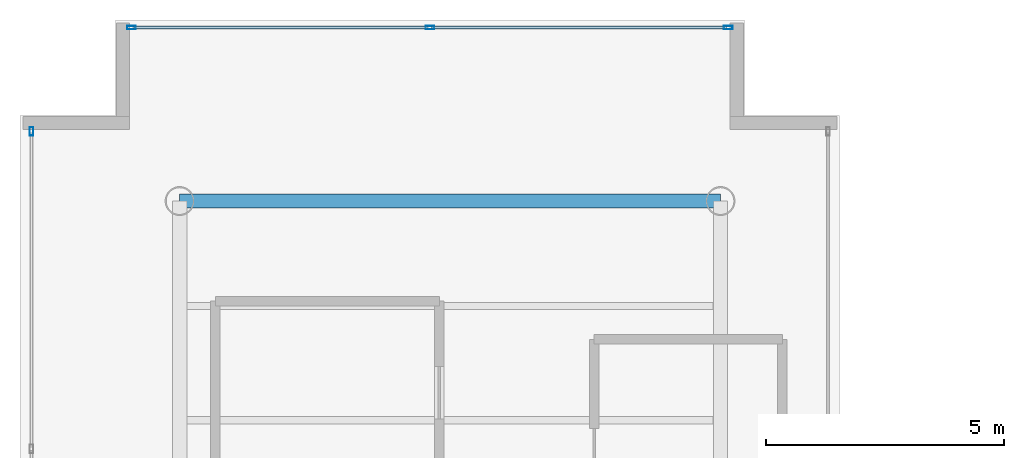
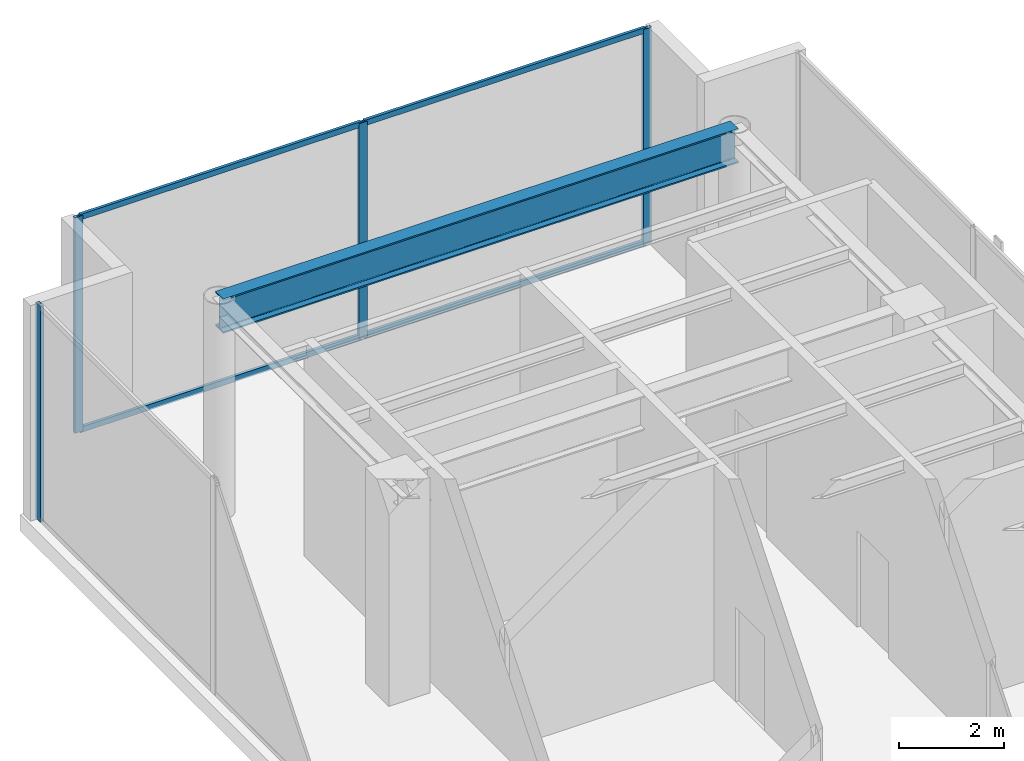
# One storey, part 22 of 29: 8 members, 1 beam, 2 elements without a shape of their own.
"""IFC4 building model written with IfcOpenShell, lengths in metres."""

import ifcopenshell
import ifcopenshell.guid

model = None  # the IFC model being written
_history = None  # IfcOwnerHistory: only IFC2X3 demands one
_inside = {}  # id of a spatial element -> (the spatial element, [elements in it])
_under = {}  # id of a project, library or spatial element -> (it, [spatial elements below it])
_declared = {}  # id of a project -> (the project, [libraries it declares])
_typed = {}  # id of a type object -> (the type object, [elements of that type])
_made_of = {}  # id of a material, layer set ... -> (it, [elements and type objects made of it])


def new_model(schema):
    """Start an empty IFC model of exactly this schema.

    Asked for "IFC4X3", IfcOpenShell would pick the latest addendum, in which some entities
    have other attributes; the version numbers below select the first issue.
    IFC2X3 requires an IfcOwnerHistory on every rooted entity: one is made here for all.
    """
    global model, _history
    if schema == "IFC4X3":
        model = ifcopenshell.file(schema_version=(4, 3, 0, 0))
    else:
        model = ifcopenshell.file(schema=schema)
    _inside.clear()
    _under.clear()
    _declared.clear()
    _typed.clear()
    _made_of.clear()
    _history = None
    if model.schema == "IFC2X3":
        org = make("IfcOrganization", Name="unknown")
        user = make(
            "IfcPersonAndOrganization",
            ThePerson=make("IfcPerson", FamilyName="unknown"),
            TheOrganization=org,
        )
        app = make(
            "IfcApplication",
            ApplicationDeveloper=org,
            Version="unknown",
            ApplicationFullName="unknown",
            ApplicationIdentifier="unknown",
        )
        _history = make(
            "IfcOwnerHistory",
            OwningUser=user,
            OwningApplication=app,
            ChangeAction="ADDED",
            CreationDate=0,
        )
    return model


def make(cls, **values):
    """One entity of the class cls with the attributes given. An attribute that is None is left unset."""
    return model.create_entity(
        cls, **{name: value for name, value in values.items() if value is not None}
    )


def rooted(cls, **values):
    """An entity with a GlobalId (a new one), such as an element, a storey or a relation."""
    return make(cls, GlobalId=ifcopenshell.guid.new(), OwnerHistory=_history, **values)


def si_unit(unit_type, name, prefix=None):
    """IfcSIUnit, for example si_unit("LENGTHUNIT", "METRE", prefix="MILLI")."""
    return make("IfcSIUnit", UnitType=unit_type, Prefix=prefix, Name=name)


def assignment(units):
    """IfcUnitAssignment: the units of a project."""
    return None if units is None else make("IfcUnitAssignment", Units=units)


def point(xyz):
    """IfcCartesianPoint."""
    return None if xyz is None else make("IfcCartesianPoint", Coordinates=xyz)


def direction(xyz):
    """IfcDirection."""
    return None if xyz is None else make("IfcDirection", DirectionRatios=xyz)


def frame(location, z_axis=None, x_axis=None):
    """IfcAxis2Placement3D, a coordinate frame: its origin and axes. An axis left out is left unset."""
    return make(
        "IfcAxis2Placement3D",
        Location=point(location),
        Axis=direction(z_axis),
        RefDirection=direction(x_axis),
    )


def frame_2d(location, x_axis=None):
    """IfcAxis2Placement2D, a coordinate frame in the plane: its origin and x axis."""
    return make(
        "IfcAxis2Placement2D", Location=point(location), RefDirection=direction(x_axis)
    )


def origin():
    """The frame at (0, 0, 0) with its axes left unset."""
    return frame((0.0, 0.0, 0.0))


def origin_with_axes():
    """The frame at (0, 0, 0) with the z axis (0, 0, 1) and the x axis (1, 0, 0) written out."""
    return frame((0.0, 0.0, 0.0), z_axis=(0.0, 0.0, 1.0), x_axis=(1.0, 0.0, 0.0))


def origin_2d():
    """The frame at (0, 0) in the plane with its x axis left unset."""
    return frame_2d((0.0, 0.0))


def place(relative_to, where):
    """IfcLocalPlacement: puts the frame where relative to a parent placement (None: the world)."""
    return make(
        "IfcLocalPlacement", PlacementRelTo=relative_to, RelativePlacement=where
    )


def context(
    kind, dimensions, precision=None, world=None, true_north=None, identifier=None
):
    """IfcGeometricRepresentationContext, for example the 3D "Model" context."""
    return make(
        "IfcGeometricRepresentationContext",
        ContextIdentifier=identifier,
        ContextType=kind,
        CoordinateSpaceDimension=dimensions,
        Precision=precision,
        WorldCoordinateSystem=world,
        TrueNorth=true_north,
    )


def subcontext(parent, identifier, kind, view, scale=None):
    """IfcGeometricRepresentationSubContext, for example "Body" below "Model"."""
    return make(
        "IfcGeometricRepresentationSubContext",
        ContextIdentifier=identifier,
        ContextType=kind,
        ParentContext=parent,
        TargetScale=scale,
        TargetView=view,
    )


def project(units=None, contexts=None):
    """IfcProject with its units and contexts."""
    return rooted(
        "IfcProject",
        Name="project",
        RepresentationContexts=contexts,
        UnitsInContext=assignment(units),
    )


def spatial(cls, under=None, at=None, **own):
    """A site, building, storey or space (cls), placed at a placement, below another one or the project."""
    s = rooted(cls, ObjectPlacement=at, **own)
    if under is not None:
        _under.setdefault(under.id(), (under, []))[1].append(s)
    return s


def profile(cls, at=None, kind="AREA", **sizes):
    """A parametric profile (cls). Its sizes go by their IFC names, for example OverallWidth=200.0."""
    return make(cls, ProfileType=kind, Position=at, **sizes)


def hollow_rectangle(**sizes):
    """IfcRectangleHollowProfileDef."""
    return profile("IfcRectangleHollowProfileDef", **sizes)


def i_section(**sizes):
    """IfcIShapeProfileDef."""
    return profile("IfcIShapeProfileDef", **sizes)


def extrude(swept, where, along, depth):
    """IfcExtrudedAreaSolid: the profile swept, set in the frame where, extruded along a direction by depth."""
    return make(
        "IfcExtrudedAreaSolid",
        SweptArea=swept,
        Position=where,
        ExtrudedDirection=direction(along),
        Depth=depth,
    )


def shape(context_of_items, identifier, shape_type, items):
    """IfcShapeRepresentation: the items that make up one representation, for example the "Body"."""
    return make(
        "IfcShapeRepresentation",
        ContextOfItems=context_of_items,
        RepresentationIdentifier=identifier,
        RepresentationType=shape_type,
        Items=items,
    )


def source(mapping_origin, context_of_items, identifier, shape_type, items):
    """IfcRepresentationMap: a shape defined once, which mapped items show again and again."""
    return make(
        "IfcRepresentationMap",
        MappingOrigin=mapping_origin,
        MappedRepresentation=shape(context_of_items, identifier, shape_type, items),
    )


def transform(
    local_origin,
    x_axis=None,
    y_axis=None,
    z_axis=None,
    scale=None,
    scale2=None,
    scale3=None,
    uniform=True,
):
    """IfcCartesianTransformationOperator3D, or its non-uniform kind. x_axis, y_axis, z_axis: its Axis1, 2, 3."""
    if uniform:
        return make(
            "IfcCartesianTransformationOperator3D",
            Axis1=direction(x_axis),
            Axis2=direction(y_axis),
            LocalOrigin=point(local_origin),
            Scale=scale,
            Axis3=direction(z_axis),
        )
    return make(
        "IfcCartesianTransformationOperator3DnonUniform",
        Axis1=direction(x_axis),
        Axis2=direction(y_axis),
        LocalOrigin=point(local_origin),
        Scale=scale,
        Axis3=direction(z_axis),
        Scale2=scale2,
        Scale3=scale3,
    )


def mapped(mapping_source, mapping_target):
    """IfcMappedItem: shows the shape of a source again, moved by a transform."""
    return make(
        "IfcMappedItem", MappingSource=mapping_source, MappingTarget=mapping_target
    )


def material(Name=None, Category=None):
    """IfcMaterial."""
    return make("IfcMaterial", Name=Name, Category=Category)


def layer(
    of_material, thickness, ventilated=None, Name=None, Category=None, Priority=None
):
    """IfcMaterialLayer: one layer of a wall or slab, of a material (None: an air gap)."""
    return make(
        "IfcMaterialLayer",
        Material=of_material,
        LayerThickness=thickness,
        IsVentilated=ventilated,
        Name=Name,
        Category=Category,
        Priority=Priority,
    )


def layer_set(layers, Name=None):
    """IfcMaterialLayerSet."""
    return make("IfcMaterialLayerSet", MaterialLayers=layers, LayerSetName=Name)


def material_profile(
    of_material, cross_section, Name=None, Category=None, Priority=None
):
    """IfcMaterialProfile: a cross section and its material."""
    return make(
        "IfcMaterialProfile",
        Name=Name,
        Material=of_material,
        Profile=cross_section,
        Priority=Priority,
        Category=Category,
    )


def profile_set(profiles, Name=None, composite=None):
    """IfcMaterialProfileSet."""
    return make(
        "IfcMaterialProfileSet",
        Name=Name,
        MaterialProfiles=profiles,
        CompositeProfile=composite,
    )


def made_of(thing, what):
    """Note that an element or type object is made of a material, layer set ...; save() writes the relation."""
    if what is not None:
        _made_of.setdefault(what.id(), (what, []))[1].append(thing)
    return thing


def type_object(cls, material=None, **own):
    """A type object (cls), such as IfcWallType, which elements share."""
    return made_of(rooted(cls, **own), material)


def element(
    cls,
    number,
    at=None,
    inside=None,
    cuts=None,
    type_object=None,
    material=None,
    context=None,
    identifier="Body",
    shape_type=None,
    held_by="IfcProductDefinitionShape",
    body=None,
    shapes=None,
    **own,
):
    """One element of the class cls, such as IfcWall. Its Tag is "e" and its number.

    at: its placement. inside: the storey or other place that contains it. cuts: it is an
    opening in that element (IfcRelVoidsElement). A single representation is given by context,
    identifier, shape_type and body (its items); several are given by shapes. held_by: the class
    of the entity that holds the representations. save() writes the other relations.
    """
    e = rooted(cls, Tag="e%d" % number, ObjectPlacement=at, **own)
    if body is not None:
        shapes = [shape(context, identifier, shape_type, body)]
    if shapes is not None:
        e.Representation = make(held_by, Representations=shapes)
    if inside is not None:
        _inside.setdefault(inside.id(), (inside, []))[1].append(e)
    if cuts is not None:
        rooted(
            "IfcRelVoidsElement", RelatingBuildingElement=cuts, RelatedOpeningElement=e
        )
    if type_object is not None:
        _typed.setdefault(type_object.id(), (type_object, []))[1].append(e)
    return made_of(e, material)


def aggregate(whole, parts):
    """IfcRelAggregates: a whole, such as a stair, and the parts it consists of."""
    return rooted("IfcRelAggregates", RelatingObject=whole, RelatedObjects=parts)


def save(model, path):
    """Write the relations noted so far, then the file.

    IfcRelAggregates (storeys below a building ...), IfcRelContainedInSpatialStructure (elements
    in a storey), IfcRelDefinesByType, IfcRelAssociatesMaterial and IfcRelDeclares: one each for
    every whole, place, type object, material and project.
    """
    for whole, parts in _under.values():
        aggregate(whole, parts)
    for where, things in _inside.values():
        rooted(
            "IfcRelContainedInSpatialStructure",
            RelatedElements=things,
            RelatingStructure=where,
        )
    for kind, things in _typed.values():
        rooted("IfcRelDefinesByType", RelatedObjects=things, RelatingType=kind)
    for what, things in _made_of.values():
        rooted("IfcRelAssociatesMaterial", RelatedObjects=things, RelatingMaterial=what)
    for by, libraries in _declared.values():
        rooted("IfcRelDeclares", RelatingContext=by, RelatedDefinitions=libraries)
    model.write(path)


model = new_model("IFC4")

# Units and contexts
model_context = context("Model", 3, precision=1e-05, world=origin(), true_north=direction((0.0, 1.0)))
body_context = subcontext(model_context, "Body", "Model", "MODEL_VIEW")
ifc_project = project(units=[si_unit("LENGTHUNIT", "METRE"), si_unit("AREAUNIT", "SQUARE_METRE"), si_unit("VOLUMEUNIT", "CUBIC_METRE"), si_unit("PLANEANGLEUNIT", "RADIAN"), si_unit("MASSUNIT", "GRAM", prefix="KILO")], contexts=[model_context])

# Site, building, storey
site_placement = place(None, origin())
site = spatial("IfcSite", under=ifc_project, at=site_placement, CompositionType="ELEMENT")
building_placement = place(site_placement, origin())
building = spatial("IfcBuilding", under=site, at=building_placement, Name="Kolvaren Waterfront Exchange", CompositionType="ELEMENT")
storey_placement = place(building_placement, frame((0.0, 0.0, 338.800048828125)))
storey = spatial("IfcBuildingStorey", under=building, at=storey_placement, Name="L87", CompositionType="ELEMENT", Elevation=338.800048828125)

# Beam
ifc_material_1 = material(Name="Steel S355", Category="steel")
ifc_material_profile_1 = material_profile(ifc_material_1, i_section(OverallWidth=0.300048828125, OverallDepth=0.800048828125, WebThickness=0.017578125, FlangeThickness=0.032958984375, FilletRadius=0.030029296875, at=origin_2d()), Name="HEB800")
ifc_profile_set_1 = profile_set([ifc_material_profile_1], Name="Steel S355")
beam_type = type_object("IfcBeamType", Name="STR-BM-HEB800", PredefinedType="BEAM", material=ifc_profile_set_1)
beam_placement = place(storey_placement, frame((7.449951171875, 44.60009765625, 4.619873046875), z_axis=(1.0, 0.0, 0.0), x_axis=(0.0, 1.0, 0.0)))
element("IfcBeam", 1, at=beam_placement, inside=storey, type_object=beam_type, Name="L87 north-arm girder 4", PredefinedType="BEAM", context=body_context, shape_type="SweptSolid", body=[
    extrude(i_section(OverallWidth=0.300048828125, OverallDepth=0.800048828125, WebThickness=0.017578125, FlangeThickness=0.032958984375, FilletRadius=0.030029296875, at=origin_2d()), origin(), (0.0, 0.0, 1.0), 11.35009765625),
])

# Curtain wall, member
ifc_material_2 = material(Name="Anodised dark bronze spandrel aluminium", Category="aluminium")
ifc_layer = layer(ifc_material_2, 0.219970703125, Name="Anodised dark bronze spandrel aluminium")
ifc_layer_set = layer_set([ifc_layer], Name="Anodised dark bronze spandrel aluminium")
curtain_wall_type = type_object("IfcCurtainWallType", Name="ARC-CW-SYS6", PredefinedType="USERDEFINED", material=ifc_layer_set)
curtain_wall_1_placement = place(storey_placement, origin())
curtain_wall_1 = element("IfcCurtainWall", 2, at=curtain_wall_1_placement, inside=storey, type_object=curtain_wall_type, Name="L87 stick curtain wall CW6 (CW-L87-W)", ObjectType="STICK CURTAIN WALL", PredefinedType="USERDEFINED")
ifc_material_3 = material(Name="Anodised bronze aluminium 6063-T6", Category="aluminium")
ifc_material_profile_2 = material_profile(ifc_material_3, hollow_rectangle(XDim=0.074951171875, YDim=0.179931640625, WallThickness=0.00439453125, at=origin_2d()), Name="ALU-MUL-180x75x4.5")
ifc_profile_set_2 = profile_set([ifc_material_profile_2], Name="Anodised bronze aluminium 6063-T6")
member_type_1 = type_object("IfcMemberType", Name="ARC-CWM-180", PredefinedType="MULLION", material=ifc_profile_set_2)
shared_shape_1 = source(origin_with_axes(), body_context, "Body", "SweptSolid", [
    extrude(hollow_rectangle(XDim=0.074951171875, YDim=0.179931640625, WallThickness=0.00439453125, at=origin_2d()), origin(), (0.0, 0.0, 1.0), 5.02001953125),
])
member_1_placement = place(storey_placement, frame((4.340087890625, 46.0625, 0.0), z_axis=(0.0, 0.0, 1.0), x_axis=(-1.0, 0.0, 0.0)))
member_1 = element("IfcMember", 3, at=member_1_placement, type_object=member_type_1, Name="CW6 mullion 7", PredefinedType="MULLION", context=body_context, shape_type="MappedRepresentation", body=[
    mapped(shared_shape_1, transform((0.0, 0.0, 0.0), x_axis=(1.0, 0.0, 0.0), y_axis=(0.0, 1.0, 0.0), z_axis=(0.0, 0.0, 1.0), scale=1.0)),
])
aggregate(curtain_wall_1, [member_1])

# Curtain wall, members
curtain_wall_2_placement = place(storey_placement, origin())
curtain_wall_2 = element("IfcCurtainWall", 4, at=curtain_wall_2_placement, inside=storey, type_object=curtain_wall_type, Name="L87 stick curtain wall CW6 (CW-L87-NT)", ObjectType="STICK CURTAIN WALL", PredefinedType="USERDEFINED")
member_2_placement = place(storey_placement, frame((6.4375, 48.239990234375, 0.0), z_axis=(0.0, 0.0, 1.0), x_axis=(0.0, 1.0, 0.0)))
member_2 = element("IfcMember", 5, at=member_2_placement, type_object=member_type_1, Name="CW6 mullion 1", PredefinedType="MULLION", context=body_context, shape_type="MappedRepresentation", body=[
    mapped(shared_shape_1, transform((0.0, 0.0, 0.0), x_axis=(1.0, 0.0, 0.0), y_axis=(0.0, 1.0, 0.0), z_axis=(0.0, 0.0, 1.0), scale=1.0)),
])
member_3_placement = place(storey_placement, frame((12.699951171875, 48.239990234375, 0.0), z_axis=(0.0, 0.0, 1.0), x_axis=(0.0, 1.0, 0.0)))
member_3 = element("IfcMember", 6, at=member_3_placement, type_object=member_type_1, Name="CW6 mullion 2", PredefinedType="MULLION", context=body_context, shape_type="MappedRepresentation", body=[
    mapped(shared_shape_1, transform((0.0, 0.0, 0.0), x_axis=(1.0, 0.0, 0.0), y_axis=(0.0, 1.0, 0.0), z_axis=(0.0, 0.0, 1.0), scale=1.0)),
])
member_4_placement = place(storey_placement, frame((18.96240234375, 48.239990234375, 0.0), z_axis=(0.0, 0.0, 1.0), x_axis=(0.0, 1.0, 0.0)))
member_4 = element("IfcMember", 7, at=member_4_placement, type_object=member_type_1, Name="CW6 mullion 3", PredefinedType="MULLION", context=body_context, shape_type="MappedRepresentation", body=[
    mapped(shared_shape_1, transform((0.0, 0.0, 0.0), x_axis=(1.0, 0.0, 0.0), y_axis=(0.0, 1.0, 0.0), z_axis=(0.0, 0.0, 1.0), scale=1.0)),
])
ifc_material_profile_3 = material_profile(ifc_material_3, hollow_rectangle(XDim=0.06494140625, YDim=0.1298828125, WallThickness=0.00390625, at=origin_2d()), Name="ALU-TRN-130x65x4")
ifc_profile_set_3 = profile_set([ifc_material_profile_3], Name="Anodised bronze aluminium 6063-T6")
member_type_2 = type_object("IfcMemberType", Name="ARC-CWT-130", PredefinedType="USERDEFINED", material=ifc_profile_set_3)
shared_shape_2 = source(origin_with_axes(), body_context, "Body", "SweptSolid", [
    extrude(hollow_rectangle(XDim=0.06494140625, YDim=0.1298828125, WallThickness=0.00390625, at=origin_2d()), origin(), (0.0, 0.0, 1.0), 6.1875),
])
member_5_placement = place(storey_placement, frame((6.47509765625, 48.239990234375, 0.032470703125), z_axis=(1.0, 0.0, 0.0), x_axis=(0.0, 1.0, 0.0)))
member_5 = element("IfcMember", 8, at=member_5_placement, type_object=member_type_2, Name="CW6 transom 1.1", ObjectType="TRANSOM", PredefinedType="USERDEFINED", context=body_context, shape_type="MappedRepresentation", body=[
    mapped(shared_shape_2, transform((0.0, 0.0, 0.0), x_axis=(1.0, 0.0, 0.0), y_axis=(0.0, 1.0, 0.0), z_axis=(0.0, 0.0, 1.0), scale=1.0)),
])
member_6_placement = place(storey_placement, frame((6.47509765625, 48.239990234375, 4.987548828125), z_axis=(1.0, 0.0, 0.0), x_axis=(0.0, 1.0, 0.0)))
member_6 = element("IfcMember", 9, at=member_6_placement, type_object=member_type_2, Name="CW6 transom 1.2", ObjectType="TRANSOM", PredefinedType="USERDEFINED", context=body_context, shape_type="MappedRepresentation", body=[
    mapped(shared_shape_2, transform((0.0, 0.0, 0.0), x_axis=(1.0, 0.0, 0.0), y_axis=(0.0, 1.0, 0.0), z_axis=(0.0, 0.0, 1.0), scale=1.0)),
])
member_7_placement = place(storey_placement, frame((12.737548828125, 48.239990234375, 0.032470703125), z_axis=(1.0, 0.0, 0.0), x_axis=(0.0, 1.0, 0.0)))
member_7 = element("IfcMember", 10, at=member_7_placement, type_object=member_type_2, Name="CW6 transom 2.1", ObjectType="TRANSOM", PredefinedType="USERDEFINED", context=body_context, shape_type="MappedRepresentation", body=[
    mapped(shared_shape_2, transform((0.0, 0.0, 0.0), x_axis=(1.0, 0.0, 0.0), y_axis=(0.0, 1.0, 0.0), z_axis=(0.0, 0.0, 1.0), scale=1.0)),
])
member_8_placement = place(storey_placement, frame((12.737548828125, 48.239990234375, 4.987548828125), z_axis=(1.0, 0.0, 0.0), x_axis=(0.0, 1.0, 0.0)))
member_8 = element("IfcMember", 11, at=member_8_placement, type_object=member_type_2, Name="CW6 transom 2.2", ObjectType="TRANSOM", PredefinedType="USERDEFINED", context=body_context, shape_type="MappedRepresentation", body=[
    mapped(shared_shape_2, transform((0.0, 0.0, 0.0), x_axis=(1.0, 0.0, 0.0), y_axis=(0.0, 1.0, 0.0), z_axis=(0.0, 0.0, 1.0), scale=1.0)),
])
aggregate(curtain_wall_2, [member_2, member_3, member_4, member_5, member_6, member_7, member_8])

save(model, "model.ifc")
